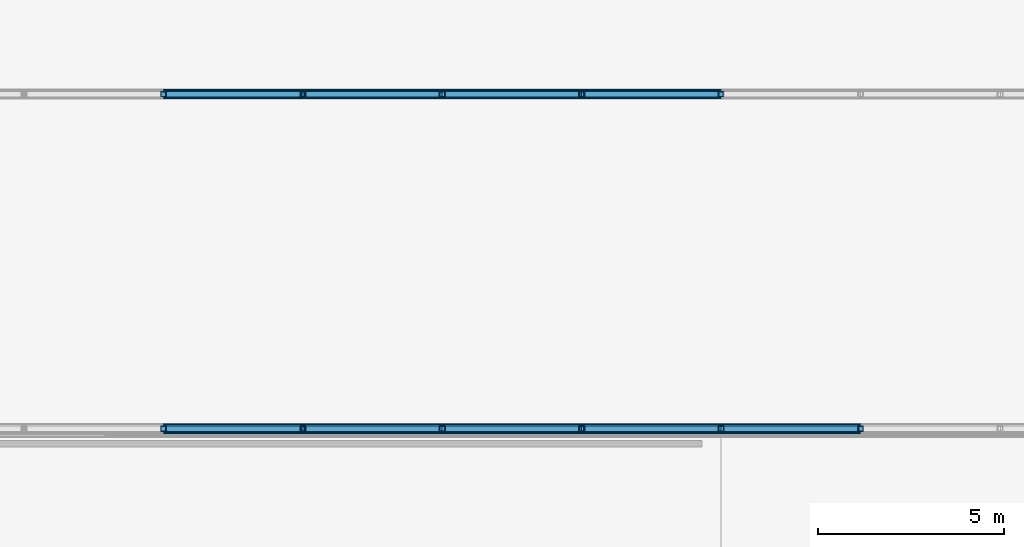
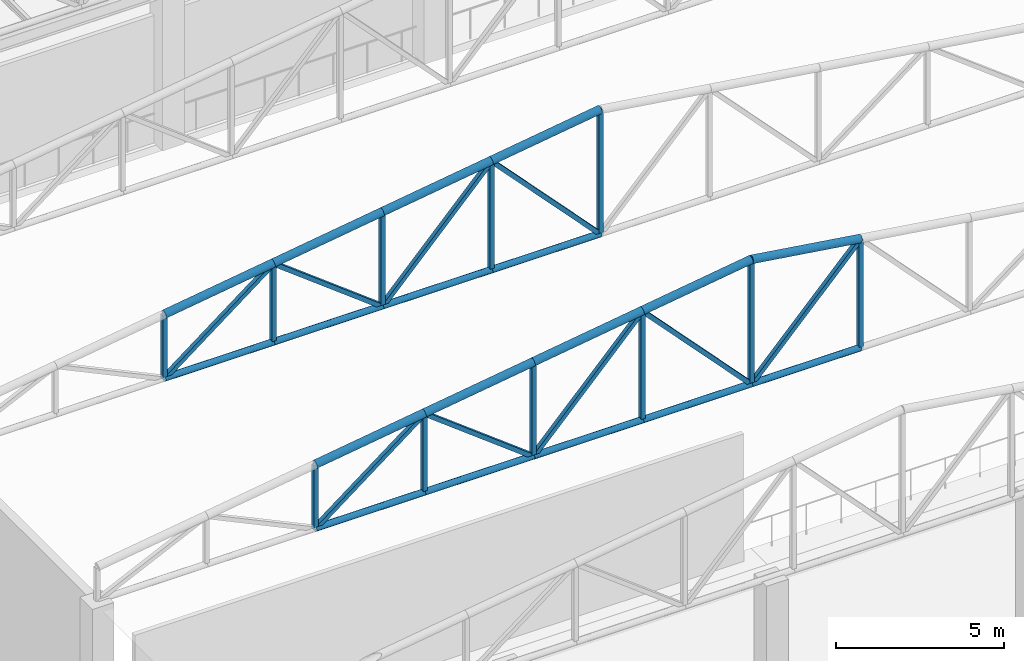
# One storey, part 53 of 223: 38 members.
"""IFC4 building model written with IfcOpenShell, lengths in metres."""

from ifc_helpers import new_model, si_unit, direction, frame, origin, origin_2d, place, context, subcontext, project, spatial, hollow_rectangle, hollow_circle, extrude, material, material_profile, profile_set, type_object, element, save


model = new_model("IFC4")

# Units and contexts
model_context = context("Model", 3, precision=1e-05, world=origin(), true_north=direction((0.0, 1.0)))
body_context = subcontext(model_context, "Body", "Model", "MODEL_VIEW")
ifc_project = project(units=[si_unit("LENGTHUNIT", "METRE"), si_unit("AREAUNIT", "SQUARE_METRE"), si_unit("VOLUMEUNIT", "CUBIC_METRE"), si_unit("PLANEANGLEUNIT", "RADIAN"), si_unit("MASSUNIT", "GRAM", prefix="KILO")], contexts=[model_context])

# Site, building, storey
site_placement = place(None, origin())
site = spatial("IfcSite", under=ifc_project, at=site_placement, CompositionType="ELEMENT")
building_placement = place(site_placement, origin())
building = spatial("IfcBuilding", under=site, at=building_placement, Name="Dornveld Trade and Exhibition Forum", CompositionType="ELEMENT")
storey_placement = place(building_placement, frame((0.0, 0.0, 6.0)))
storey = spatial("IfcBuildingStorey", under=building, at=storey_placement, Name="L01", CompositionType="ELEMENT", Elevation=6.0)

# Members
ifc_material_1 = material(Name="Steel S355J2", Category="steel")
ifc_material_profile_1 = material_profile(ifc_material_1, hollow_rectangle(XDim=0.14990234375, YDim=0.14990234375, WallThickness=0.008056640625, at=origin_2d()), Name="SHS 150x150x8")
ifc_profile_set_1 = profile_set([ifc_material_profile_1], Name="Steel S355J2")
member_type_1 = type_object("IfcMemberType", Name="MEM-ARCH-STR", PredefinedType="STRUT", material=ifc_profile_set_1)
member_1_placement = place(storey_placement, frame((160.5, 18.0, 5.97998046875), z_axis=(0.0, 0.0, 1.0), x_axis=(1.0, 0.0, 0.0)))
element("IfcMember", 1, at=member_1_placement, inside=storey, type_object=member_type_1, Name="Congress roof truss 3 post 3", PredefinedType="STRUT", context=body_context, shape_type="SweptSolid", body=[
    extrude(hollow_rectangle(XDim=0.14990234375, YDim=0.14990234375, WallThickness=0.008056640625, at=origin_2d()), origin(), (0.0, 0.0, 1.0), 2.320068359375),
])
member_2_placement = place(storey_placement, frame((164.25, 18.0, 5.97998046875), z_axis=(0.0, 0.0, 1.0), x_axis=(1.0, 0.0, 0.0)))
element("IfcMember", 2, at=member_2_placement, inside=storey, type_object=member_type_1, Name="Congress roof truss 3 post 4", PredefinedType="STRUT", context=body_context, shape_type="SweptSolid", body=[
    extrude(hollow_rectangle(XDim=0.14990234375, YDim=0.14990234375, WallThickness=0.008056640625, at=origin_2d()), origin(), (0.0, 0.0, 1.0), 2.8701171875),
])
member_3_placement = place(storey_placement, frame((168.0, 18.0, 5.97998046875), z_axis=(0.0, 0.0, 1.0), x_axis=(1.0, 0.0, 0.0)))
element("IfcMember", 3, at=member_3_placement, inside=storey, type_object=member_type_1, Name="Congress roof truss 3 post 5", PredefinedType="STRUT", context=body_context, shape_type="SweptSolid", body=[
    extrude(hollow_rectangle(XDim=0.14990234375, YDim=0.14990234375, WallThickness=0.008056640625, at=origin_2d()), origin(), (0.0, 0.0, 1.0), 3.419921875),
])
member_4_placement = place(storey_placement, frame((171.75, 18.0, 5.97998046875), z_axis=(0.0, 0.0, 1.0), x_axis=(1.0, 0.0, 0.0)))
element("IfcMember", 4, at=member_4_placement, inside=storey, type_object=member_type_1, Name="Congress roof truss 3 post 6", PredefinedType="STRUT", context=body_context, shape_type="SweptSolid", body=[
    extrude(hollow_rectangle(XDim=0.14990234375, YDim=0.14990234375, WallThickness=0.008056640625, at=origin_2d()), origin(), (0.0, 0.0, 1.0), 3.969970703125),
])
member_5_placement = place(storey_placement, frame((175.5, 18.0, 5.97998046875), z_axis=(0.0, 0.0, 1.0), x_axis=(1.0, 0.0, 0.0)))
element("IfcMember", 5, at=member_5_placement, inside=storey, type_object=member_type_1, Name="Congress roof truss 3 post 7", PredefinedType="STRUT", context=body_context, shape_type="SweptSolid", body=[
    extrude(hollow_rectangle(XDim=0.14990234375, YDim=0.14990234375, WallThickness=0.008056640625, at=origin_2d()), origin(), (0.0, 0.0, 1.0), 4.52001953125),
])
member_6_placement = place(storey_placement, frame((179.25, 18.0, 5.97998046875), z_axis=(0.0, 0.0, 1.0), x_axis=(1.0, 0.0, 0.0)))
element("IfcMember", 6, at=member_6_placement, inside=storey, type_object=member_type_1, Name="Congress roof truss 3 post 8", PredefinedType="STRUT", context=body_context, shape_type="SweptSolid", body=[
    extrude(hollow_rectangle(XDim=0.14990234375, YDim=0.14990234375, WallThickness=0.008056640625, at=origin_2d()), origin(), (0.0, 0.0, 1.0), 3.969970703125),
])
member_7_placement = place(storey_placement, frame((160.5, 27.0, 5.97998046875), z_axis=(0.0, 0.0, 1.0), x_axis=(1.0, 0.0, 0.0)))
element("IfcMember", 7, at=member_7_placement, inside=storey, type_object=member_type_1, Name="Congress roof truss 4 post 3", PredefinedType="STRUT", context=body_context, shape_type="SweptSolid", body=[
    extrude(hollow_rectangle(XDim=0.14990234375, YDim=0.14990234375, WallThickness=0.008056640625, at=origin_2d()), origin(), (0.0, 0.0, 1.0), 2.320068359375),
])
member_8_placement = place(storey_placement, frame((164.25, 27.0, 5.97998046875), z_axis=(0.0, 0.0, 1.0), x_axis=(1.0, 0.0, 0.0)))
element("IfcMember", 8, at=member_8_placement, inside=storey, type_object=member_type_1, Name="Congress roof truss 4 post 4", PredefinedType="STRUT", context=body_context, shape_type="SweptSolid", body=[
    extrude(hollow_rectangle(XDim=0.14990234375, YDim=0.14990234375, WallThickness=0.008056640625, at=origin_2d()), origin(), (0.0, 0.0, 1.0), 2.8701171875),
])
member_9_placement = place(storey_placement, frame((168.0, 27.0, 5.97998046875), z_axis=(0.0, 0.0, 1.0), x_axis=(1.0, 0.0, 0.0)))
element("IfcMember", 9, at=member_9_placement, inside=storey, type_object=member_type_1, Name="Congress roof truss 4 post 5", PredefinedType="STRUT", context=body_context, shape_type="SweptSolid", body=[
    extrude(hollow_rectangle(XDim=0.14990234375, YDim=0.14990234375, WallThickness=0.008056640625, at=origin_2d()), origin(), (0.0, 0.0, 1.0), 3.419921875),
])
member_10_placement = place(storey_placement, frame((171.75, 27.0, 5.97998046875), z_axis=(0.0, 0.0, 1.0), x_axis=(1.0, 0.0, 0.0)))
element("IfcMember", 10, at=member_10_placement, inside=storey, type_object=member_type_1, Name="Congress roof truss 4 post 6", PredefinedType="STRUT", context=body_context, shape_type="SweptSolid", body=[
    extrude(hollow_rectangle(XDim=0.14990234375, YDim=0.14990234375, WallThickness=0.008056640625, at=origin_2d()), origin(), (0.0, 0.0, 1.0), 3.969970703125),
])
member_11_placement = place(storey_placement, frame((175.5, 27.0, 5.97998046875), z_axis=(0.0, 0.0, 1.0), x_axis=(1.0, 0.0, 0.0)))
element("IfcMember", 11, at=member_11_placement, inside=storey, type_object=member_type_1, Name="Congress roof truss 4 post 7", PredefinedType="STRUT", context=body_context, shape_type="SweptSolid", body=[
    extrude(hollow_rectangle(XDim=0.14990234375, YDim=0.14990234375, WallThickness=0.008056640625, at=origin_2d()), origin(), (0.0, 0.0, 1.0), 4.52001953125),
])
ifc_material_2 = material(Name="Steel S355J2", Category="steel")
ifc_material_profile_2 = material_profile(ifc_material_2, hollow_circle(Radius=0.109619140625, WallThickness=0.010009765625, at=origin_2d()), Name="CHS 219.1x10")
ifc_profile_set_2 = profile_set([ifc_material_profile_2], Name="Steel S355J2")
member_type_2 = type_object("IfcMemberType", Name="MEM-CONG-BC", PredefinedType="CHORD", material=ifc_profile_set_2)
for number, where, z_axis, x_axis, name in (
    (12, (160.5, 18.0, 5.97998046875), (1.0, 0.0, 0.0), (0.0, 1.0, 0.0), "Congress roof truss 3 bottom chord 3"),
    (13, (164.25, 18.0, 5.97998046875), (1.0, 0.0, 0.0), (0.0, 1.0, 0.0), "Congress roof truss 3 bottom chord 4"),
    (14, (168.0, 18.0, 5.97998046875), (1.0, 0.0, 0.0), (0.0, 1.0, 0.0), "Congress roof truss 3 bottom chord 5"),
    (15, (171.75, 18.0, 5.97998046875), (1.0, 0.0, 0.0), (0.0, 1.0, 0.0), "Congress roof truss 3 bottom chord 6"),
    (16, (175.5, 18.0, 5.97998046875), (1.0, 0.0, 0.0), (0.0, 1.0, 0.0), "Congress roof truss 3 bottom chord 7"),
    (17, (160.5, 27.0, 5.97998046875), (1.0, 0.0, 0.0), (0.0, 1.0, 0.0), "Congress roof truss 4 bottom chord 3"),
    (18, (164.25, 27.0, 5.97998046875), (1.0, 0.0, 0.0), (0.0, 1.0, 0.0), "Congress roof truss 4 bottom chord 4"),
    (19, (168.0, 27.0, 5.97998046875), (1.0, 0.0, 0.0), (0.0, 1.0, 0.0), "Congress roof truss 4 bottom chord 5"),
    (20, (171.75, 27.0, 5.97998046875), (1.0, 0.0, 0.0), (0.0, 1.0, 0.0), "Congress roof truss 4 bottom chord 6"),
):
    element("IfcMember", number, at=place(storey_placement, frame(where, z_axis=z_axis, x_axis=x_axis)), inside=storey, type_object=member_type_2, Name=name, PredefinedType="CHORD", context=body_context, shape_type="SweptSolid", body=[
        extrude(hollow_circle(Radius=0.109619140625, WallThickness=0.010009765625, at=origin_2d()), origin(), (0.0, 0.0, 1.0), 3.75),
    ])
ifc_material_3 = material(Name="Steel S355J2", Category="steel")
ifc_material_profile_3 = material_profile(ifc_material_3, hollow_circle(Radius=0.136474609375, WallThickness=0.012451171875, at=origin_2d()), Name="CHS 273x12.5")
ifc_profile_set_3 = profile_set([ifc_material_profile_3], Name="Steel S355J2")
member_type_3 = type_object("IfcMemberType", Name="MEM-CONG-TC", PredefinedType="CHORD", material=ifc_profile_set_3)
for number, where, z_axis, x_axis, name in (
    (21, (160.5, 18.0, 8.300048828125), (0.989413064489, 0.0, 0.145126799108), (0.0, 1.0, 0.0), "Congress roof truss 3 top chord 3"),
    (22, (164.25, 18.0, 8.85009765625), (0.989422311926, 0.0, 0.145063740004), (0.0, 1.0, 0.0), "Congress roof truss 3 top chord 4"),
    (23, (168.0, 18.0, 9.39990234375), (0.989413064489, 0.0, 0.145126799108), (0.0, 1.0, 0.0), "Congress roof truss 3 top chord 5"),
    (24, (171.75, 18.0, 9.949951171875), (0.989413064489, 0.0, 0.145126799108), (0.0, 1.0, 0.0), "Congress roof truss 3 top chord 6"),
    (25, (175.5, 18.0, 10.5), (0.989413064489, 0.0, -0.145126799108), (0.0, 1.0, 0.0), "Congress roof truss 3 top chord 7"),
    (26, (160.5, 27.0, 8.300048828125), (0.989413064489, 0.0, 0.145126799108), (0.0, 1.0, 0.0), "Congress roof truss 4 top chord 3"),
    (27, (164.25, 27.0, 8.85009765625), (0.989422311926, 0.0, 0.145063740004), (0.0, 1.0, 0.0), "Congress roof truss 4 top chord 4"),
    (28, (168.0, 27.0, 9.39990234375), (0.989413064489, 0.0, 0.145126799108), (0.0, 1.0, 0.0), "Congress roof truss 4 top chord 5"),
    (29, (171.75, 27.0, 9.949951171875), (0.989413064489, 0.0, 0.145126799108), (0.0, 1.0, 0.0), "Congress roof truss 4 top chord 6"),
):
    element("IfcMember", number, at=place(storey_placement, frame(where, z_axis=z_axis, x_axis=x_axis)), inside=storey, type_object=member_type_3, Name=name, PredefinedType="CHORD", context=body_context, shape_type="SweptSolid", body=[
        extrude(hollow_circle(Radius=0.136474609375, WallThickness=0.012451171875, at=origin_2d()), origin(), (0.0, 0.0, 1.0), 3.7900390625),
    ])
ifc_material_4 = material(Name="Steel S355J2", Category="steel")
ifc_material_profile_4 = material_profile(ifc_material_4, hollow_rectangle(XDim=0.14990234375, YDim=0.14990234375, WallThickness=0.008056640625, at=origin_2d()), Name="SHS 150x150x8")
ifc_profile_set_4 = profile_set([ifc_material_profile_4], Name="Steel S355J2")
member_type_4 = type_object("IfcMemberType", Name="MEM-CONG-WEB", PredefinedType="BRACE", material=ifc_profile_set_4)
for number, where, z_axis, x_axis, name in (
    (30, (160.5, 18.0, 5.97998046875), (0.794105362147, 0.0, 0.607780119623), (0.0, 1.0, 0.0), "Congress roof truss 3 web 3"),
    (31, (168.0, 18.0, 5.97998046875), (-0.794105362147, 0.0, 0.607780119623), (0.0, -1.0, 0.0), "Congress roof truss 3 web 4"),
):
    element("IfcMember", number, at=place(storey_placement, frame(where, z_axis=z_axis, x_axis=x_axis)), inside=storey, type_object=member_type_4, Name=name, PredefinedType="BRACE", context=body_context, shape_type="SweptSolid", body=[
        extrude(hollow_rectangle(XDim=0.14990234375, YDim=0.14990234375, WallThickness=0.008056640625, at=origin_2d()), origin(), (0.0, 0.0, 1.0), 4.722412109375),
    ])
for number, where, z_axis, x_axis, name in (
    (32, (168.0, 18.0, 5.97998046875), (0.686679978257, 0.0, 0.72695983896), (0.0, 1.0, 0.0), "Congress roof truss 3 web 5"),
    (33, (175.5, 18.0, 5.97998046875), (-0.686679978257, 0.0, 0.72695983896), (0.0, -1.0, 0.0), "Congress roof truss 3 web 6"),
    (34, (175.5, 18.0, 5.97998046875), (0.686679978257, 0.0, 0.72695983896), (0.0, 1.0, 0.0), "Congress roof truss 3 web 7"),
):
    element("IfcMember", number, at=place(storey_placement, frame(where, z_axis=z_axis, x_axis=x_axis)), inside=storey, type_object=member_type_4, Name=name, PredefinedType="BRACE", context=body_context, shape_type="SweptSolid", body=[
        extrude(hollow_rectangle(XDim=0.14990234375, YDim=0.14990234375, WallThickness=0.008056640625, at=origin_2d()), origin(), (0.0, 0.0, 1.0), 5.4609375),
    ])
for number, where, z_axis, x_axis, name in (
    (35, (160.5, 27.0, 5.97998046875), (0.794105362147, 0.0, 0.607780119623), (0.0, 1.0, 0.0), "Congress roof truss 4 web 3"),
    (36, (168.0, 27.0, 5.97998046875), (-0.794105362147, 0.0, 0.607780119623), (0.0, -1.0, 0.0), "Congress roof truss 4 web 4"),
):
    element("IfcMember", number, at=place(storey_placement, frame(where, z_axis=z_axis, x_axis=x_axis)), inside=storey, type_object=member_type_4, Name=name, PredefinedType="BRACE", context=body_context, shape_type="SweptSolid", body=[
        extrude(hollow_rectangle(XDim=0.14990234375, YDim=0.14990234375, WallThickness=0.008056640625, at=origin_2d()), origin(), (0.0, 0.0, 1.0), 4.722412109375),
    ])
for number, where, z_axis, x_axis, name in (
    (37, (168.0, 27.0, 5.97998046875), (0.686679978257, 0.0, 0.72695983896), (0.0, 1.0, 0.0), "Congress roof truss 4 web 5"),
    (38, (175.5, 27.0, 5.97998046875), (-0.686679978257, 0.0, 0.72695983896), (0.0, -1.0, 0.0), "Congress roof truss 4 web 6"),
):
    element("IfcMember", number, at=place(storey_placement, frame(where, z_axis=z_axis, x_axis=x_axis)), inside=storey, type_object=member_type_4, Name=name, PredefinedType="BRACE", context=body_context, shape_type="SweptSolid", body=[
        extrude(hollow_rectangle(XDim=0.14990234375, YDim=0.14990234375, WallThickness=0.008056640625, at=origin_2d()), origin(), (0.0, 0.0, 1.0), 5.4609375),
    ])

save(model, "model.ifc")
